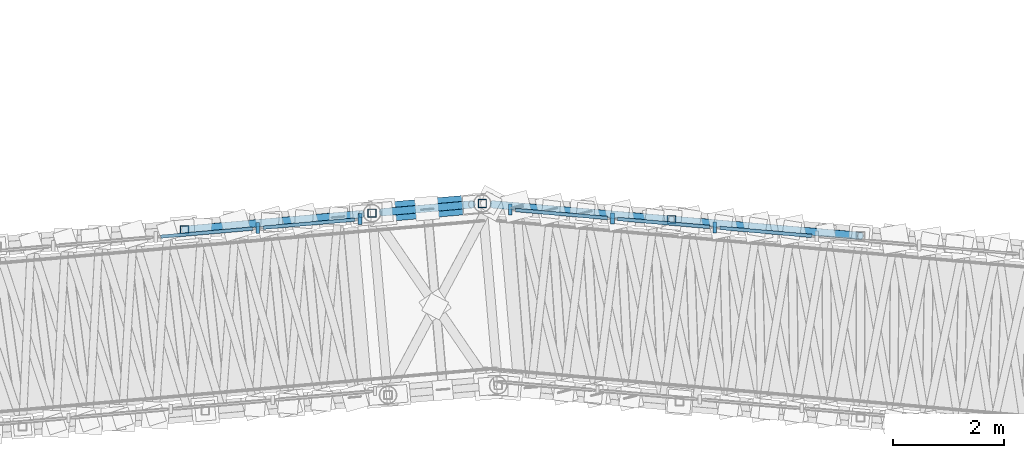
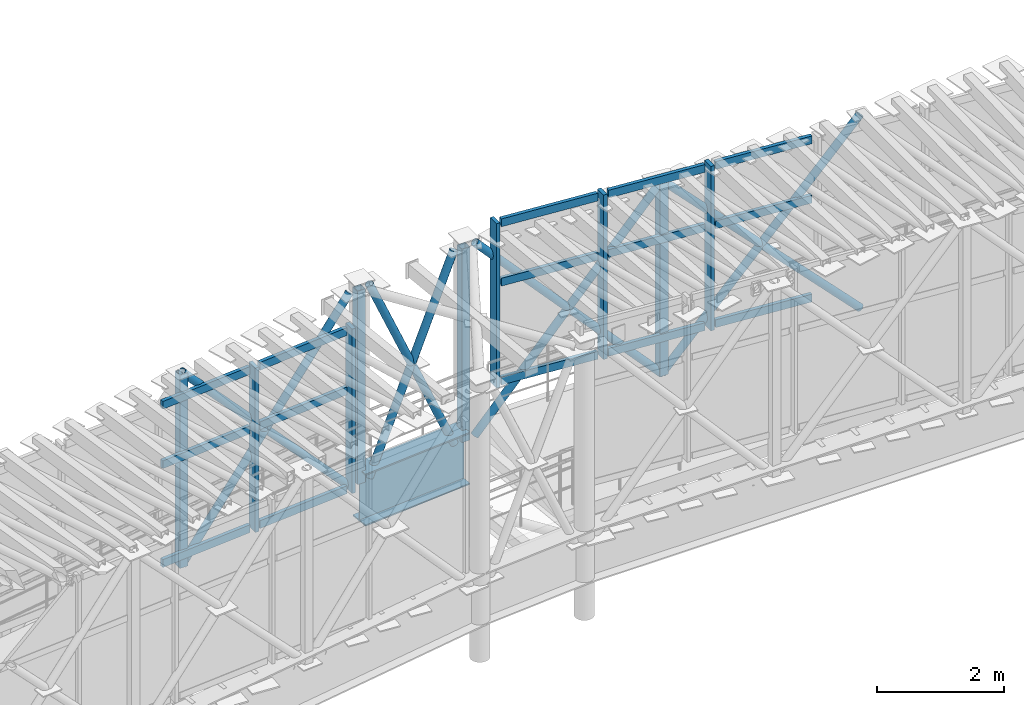
# One storey, part 68 of 144: 36 members, 1 beam, 2 elements without a shape of their own.
"""IFC4 building model written with IfcOpenShell, lengths in metres."""

from ifc_helpers import new_model, si_unit, direction, frame, origin, origin_2d, place, context, subcontext, project, spatial, rectangle, hollow_rectangle, hollow_circle, i_section, extrude, material, material_profile, profile_set, type_object, element, aggregate, save


model = new_model("IFC4")

# Units and contexts
model_context = context("Model", 3, precision=1e-05, world=origin(), true_north=direction((0.0, 1.0)))
body_context = subcontext(model_context, "Body", "Model", "MODEL_VIEW")
ifc_project = project(units=[si_unit("LENGTHUNIT", "METRE"), si_unit("AREAUNIT", "SQUARE_METRE"), si_unit("VOLUMEUNIT", "CUBIC_METRE"), si_unit("PLANEANGLEUNIT", "RADIAN"), si_unit("MASSUNIT", "GRAM", prefix="KILO")], contexts=[model_context])

# Site, building, storey
site_placement = place(None, origin())
site = spatial("IfcSite", under=ifc_project, at=site_placement, CompositionType="ELEMENT")
building_placement = place(site_placement, origin())
building = spatial("IfcBuilding", under=site, at=building_placement, Name="Cinderbank Siding Concert Hall", CompositionType="ELEMENT")
storey_placement = place(building_placement, frame((0.0, 0.0, 5.39990234375)))
storey = spatial("IfcBuildingStorey", under=building, at=storey_placement, Name="L02", CompositionType="ELEMENT", Elevation=5.39990234375)

# Beam
ifc_material_1 = material(Name="Structural steel welded plate section AS/NZS 3679.2 / AS/NZS 3678 Grade 350 (340 MPa)", Category="steel")
ifc_material_profile_1 = material_profile(ifc_material_1, i_section(OverallWidth=0.35009765625, OverallDepth=1.0, WebThickness=0.013916015625, FlangeThickness=0.02490234375, at=origin_2d()), Name="1000WB258", Category="LoadBearing")
ifc_profile_set_1 = profile_set([ifc_material_profile_1], Name="Structural steel welded plate section AS/NZS 3679.2 / AS/NZS 3678 Grade 350 (340 MPa)")
beam_type = type_object("IfcBeamType", Name="BM-WB1000 1000WB258", PredefinedType="BEAM", material=ifc_profile_set_1)
beam_placement = place(storey_placement, frame((77.200927734375, 102.260986328125, 1.2001953125), z_axis=(0.996165587561, 0.087487840064, 0.0), x_axis=(-0.087487840064, 0.996165587561, 0.0)))
element("IfcBeam", 1, at=beam_placement, inside=storey, type_object=beam_type, Name="L02 Beam BM-WB1000 #1953", PredefinedType="BEAM", context=body_context, shape_type="SweptSolid", body=[
    extrude(i_section(OverallWidth=0.35009765625, OverallDepth=1.0, WebThickness=0.013916015625, FlangeThickness=0.02490234375, at=origin_2d()), origin(), (0.0, 0.0, 1.0), 2.000732421875),
])

# Members
ifc_material_2 = material(Name="Structural steel hollow section AS/NZS 1163 Grade C350L0 (350 MPa)", Category="steel")
ifc_material_profile_2 = material_profile(ifc_material_2, hollow_circle(Radius=0.06982421875, WallThickness=0.00634765625, at=origin_2d()), Name="139.7x6.4CHS", Category="LoadBearing")
ifc_profile_set_2 = profile_set([ifc_material_profile_2], Name="Structural steel hollow section AS/NZS 1163 Grade C350L0 (350 MPa)")
member_type_1 = type_object("IfcMemberType", Name="BR-CHS139 139.7x6.4CHS Roof Truss", PredefinedType="BRACE", material=ifc_profile_set_2)
member_1_placement = place(storey_placement, frame((73.811279296875, 101.962158203125, 1.22998046875), z_axis=(0.630796664532, 0.055625977893, 0.773951754697), x_axis=(-0.087842803252, 0.996134349331, 0.0)))
element("IfcMember", 2, at=member_1_placement, inside=storey, type_object=member_type_1, Name="L02 Diagonal Brace BR-CHS139 #BRDL-BR-CHS139-L02-0149", PredefinedType="BRACE", context=body_context, shape_type="SweptSolid", body=[
    extrude(hollow_circle(Radius=0.06982421875, WallThickness=0.00634765625, at=origin_2d()), origin(), (0.0, 0.0, 1.0), 5.07373046875),
])
member_2_placement = place(storey_placement, frame((73.811279296875, 101.962158203125, 4.93017578125), z_axis=(0.67638778785, 0.059611022605, -0.734129475251), x_axis=(-0.087791145482, 0.996138903354, 0.0)))
element("IfcMember", 3, at=member_2_placement, inside=storey, type_object=member_type_1, Name="L02 Diagonal Brace BR-CHS139 #BRDL-BR-CHS139-L02-0150", PredefinedType="BRACE", context=body_context, shape_type="SweptSolid", body=[
    extrude(hollow_circle(Radius=0.06982421875, WallThickness=0.00634765625, at=origin_2d()), origin(), (0.0, 0.0, 1.0), 2.350830078125),
])
member_3_placement = place(storey_placement, frame((75.421630859375, 102.104248046875, 3.182373046875), z_axis=(0.676439358433, 0.059615567594, -0.734081588424), x_axis=(-0.087791145482, 0.996138903354, 0.0)))
element("IfcMember", 4, at=member_3_placement, inside=storey, type_object=member_type_1, Name="L02 Diagonal Brace BR-CHS139 #BRDL-BR-CHS139-L02-0150-S16", PredefinedType="BRACE", context=body_context, shape_type="SweptSolid", body=[
    extrude(hollow_circle(Radius=0.06982421875, WallThickness=0.00634765625, at=origin_2d()), origin(), (0.0, 0.0, 1.0), 2.3505859375),
])
member_4_placement = place(storey_placement, frame((77.390380859375, 102.277587890625, 1.47021484375), z_axis=(0.399642385884, 0.035116791621, 0.915998239273), x_axis=(-0.087533255955, 0.996161597886, 0.0)))
element("IfcMember", 5, at=member_4_placement, inside=storey, type_object=member_type_1, Name="L02 Diagonal Brace BR-CHS139 #BRDL-BR-CHS139-L02-0229", PredefinedType="BRACE", context=body_context, shape_type="SweptSolid", body=[
    extrude(hollow_circle(Radius=0.06982421875, WallThickness=0.00634765625, at=origin_2d()), origin(), (0.0, 0.0, 1.0), 4.039306640625),
])
for number, where, z_axis, x_axis, name in (
    (6, (77.390380859375, 102.277587890625, 5.170166015625), (0.399562607452, 0.035072853077, -0.916034725162), (-0.087441893042, 0.996169621772, 0.0), "L02 Diagonal Brace BR-CHS139 #BRDL-BR-CHS139-L02-0230"),
    (7, (78.20361328125, 102.34912109375, 3.306396484375), (0.39960718531, 0.035076766038, -0.916015129751), (-0.087441893042, 0.996169621772, 0.0), "L02 Diagonal Brace BR-CHS139 #BRDL-BR-CHS139-L02-0230-S21"),
):
    element("IfcMember", number, at=place(storey_placement, frame(where, z_axis=z_axis, x_axis=x_axis)), inside=storey, type_object=member_type_1, Name=name, PredefinedType="BRACE", context=body_context, shape_type="SweptSolid", body=[
        extrude(hollow_circle(Radius=0.06982421875, WallThickness=0.00634765625, at=origin_2d()), origin(), (0.0, 0.0, 1.0), 2.004638671875),
    ])
member_5_placement = place(storey_placement, frame((79.38330078125, 102.419921875, 1.4833984375), z_axis=(0.634291149246, -0.054371922537, 0.771179896022), x_axis=(0.085407549859, 0.99634609972, 0.0)))
element("IfcMember", 8, at=member_5_placement, inside=storey, type_object=member_type_1, Name="L02 Diagonal Brace BR-CHS139 #BRDL-BR-CHS139-L02-0240", PredefinedType="BRACE", context=body_context, shape_type="SweptSolid", body=[
    extrude(hollow_circle(Radius=0.06982421875, WallThickness=0.00634765625, at=origin_2d()), origin(), (0.0, 0.0, 1.0), 5.091796875),
])
for number, where, z_axis, x_axis, name in (
    (9, (79.38330078125, 102.419921875, 5.183349609375), (0.679839649024, -0.058334027392, -0.731037066682), (0.085491426003, 0.996338906236, 0.0), "L02 Diagonal Brace BR-CHS139 #BRDL-BR-CHS139-L02-0241"),
    (10, (81.00830078125, 102.280517578125, 3.435791015625), (0.679843747195, -0.058230949288, -0.731041473478), (0.085340950407, 0.996351806434, 0.0), "L02 Diagonal Brace BR-CHS139 #BRDL-BR-CHS139-L02-0241-S25"),
):
    element("IfcMember", number, at=place(storey_placement, frame(where, z_axis=z_axis, x_axis=x_axis)), inside=storey, type_object=member_type_1, Name=name, PredefinedType="BRACE", context=body_context, shape_type="SweptSolid", body=[
        extrude(hollow_circle(Radius=0.06982421875, WallThickness=0.00634765625, at=origin_2d()), origin(), (0.0, 0.0, 1.0), 2.3603515625),
    ])
member_6_placement = place(storey_placement, frame((82.613037109375, 102.14306640625, 1.710205078125), z_axis=(0.654373190806, -0.056073109752, 0.754089870982), x_axis=(0.085376925824, 0.996348724362, 0.0)))
element("IfcMember", 11, at=member_6_placement, inside=storey, type_object=member_type_1, Name="L02 Diagonal Brace BR-CHS139 #BRDL-BR-CHS139-L02-0243", PredefinedType="BRACE", context=body_context, shape_type="SweptSolid", body=[
    extrude(hollow_circle(Radius=0.06982421875, WallThickness=0.00634765625, at=origin_2d()), origin(), (0.0, 0.0, 1.0), 5.224853515625),
])
for number, where, z_axis, x_axis, name in (
    (12, (82.613037109375, 102.14306640625, 5.41015625), (0.701628131288, -0.060191406004, -0.709996450716), (0.085474235884, 0.996340381095, 0.0), "L02 Diagonal Brace BR-CHS139 #BRDL-BR-CHS139-L02-0244"),
    (13, (84.3330078125, 101.99560546875, 3.66943359375), (0.701632385721, -0.060090947247, -0.710000755891), (0.085332106351, 0.996352563918, 0.0), "L02 Diagonal Brace BR-CHS139 #BRDL-BR-CHS139-L02-0244-S26"),
):
    element("IfcMember", number, at=place(storey_placement, frame(where, z_axis=z_axis, x_axis=x_axis)), inside=storey, type_object=member_type_1, Name=name, PredefinedType="BRACE", context=body_context, shape_type="SweptSolid", body=[
        extrude(hollow_circle(Radius=0.06982421875, WallThickness=0.00634765625, at=origin_2d()), origin(), (0.0, 0.0, 1.0), 2.42138671875),
    ])
ifc_material_profile_3 = material_profile(ifc_material_2, hollow_rectangle(XDim=0.14990234375, YDim=0.14990234375, WallThickness=0.008056640625, at=origin_2d()), Name="150x150x8.0SHS", Category="LoadBearing")
ifc_profile_set_3 = profile_set([ifc_material_profile_3], Name="Structural steel hollow section AS/NZS 1163 Grade C350L0 (350 MPa)")
member_type_2 = type_object("IfcMemberType", Name="BR-SHS150 150x150x8.0SHS Roof Truss", PredefinedType="BRACE", material=ifc_profile_set_3)
member_7_placement = place(storey_placement, frame((73.811279296875, 101.962158203125, 1.22998046875), z_axis=(0.0, 0.0, 1.0), x_axis=(1.0, 0.0, 0.0)))
element("IfcMember", 14, at=member_7_placement, inside=storey, type_object=member_type_2, Name="L02 Diagonal Brace BR-SHS150 #BRVL-BR-SHS150-L02-0148", PredefinedType="BRACE", context=body_context, shape_type="SweptSolid", body=[
    extrude(hollow_rectangle(XDim=0.14990234375, YDim=0.14990234375, WallThickness=0.008056640625, at=origin_2d()), origin(), (0.0, 0.0, 1.0), 3.7001953125),
])
for number, where, z_axis, x_axis, name in (
    (15, (77.200927734375, 102.260986328125, 1.47021484375), (0.0, 0.0, 1.0), (1.0, 0.0, 0.0), "L02 Diagonal Brace BR-SHS150 #BRVL-BR-SHS150-L02-0228"),
    (16, (79.194091796875, 102.43603515625, 1.47021484375), (0.0, 0.0, 1.0), (1.0, 0.0, 0.0), "L02 Diagonal Brace BR-SHS150 #BRVL-BR-SHS150-L02-0239"),
    (17, (82.613037109375, 102.14306640625, 1.710205078125), (0.0, 0.0, 1.0), (1.0, 0.0, 0.0), "L02 Diagonal Brace BR-SHS150 #BRVL-BR-SHS150-L02-0242"),
):
    element("IfcMember", number, at=place(storey_placement, frame(where, z_axis=z_axis, x_axis=x_axis)), inside=storey, type_object=member_type_2, Name=name, PredefinedType="BRACE", context=body_context, shape_type="SweptSolid", body=[
        extrude(hollow_rectangle(XDim=0.14990234375, YDim=0.14990234375, WallThickness=0.008056640625, at=origin_2d()), origin(), (0.0, 0.0, 1.0), 3.699951171875),
    ])

# Curtain wall, members
ifc_material_3 = material(Name="Anodised aluminium alloy 6063-T6", Category="aluminium")
curtain_wall_type = type_object("IfcCurtainWallType", Name="CW-15 Unitised Acoustic Curtain Wall 12800x3200", PredefinedType="NOTDEFINED", material=ifc_material_3)
curtain_wall_1_placement = place(storey_placement, origin())
curtain_wall_1 = element("IfcCurtainWall", 18, at=curtain_wall_1_placement, inside=storey, type_object=curtain_wall_type, Name="L02 Curtain Wall CW-15 #155", PredefinedType="NOTDEFINED")
ifc_material_profile_4 = material_profile(ifc_material_3, rectangle(XDim=0.06494140625, YDim=0.199951171875, at=origin_2d()), Name="ALU-MULL-65x200", Category="LoadBearing")
ifc_profile_set_4 = profile_set([ifc_material_profile_4], Name="Anodised aluminium alloy 6063-T6")
member_type_3 = type_object("IfcMemberType", Name="CW-ML2 Mullion 65x200", PredefinedType="MULLION", material=ifc_profile_set_4)
member_8_placement = place(storey_placement, frame((75.135009765625, 101.989990234375, 1.440185546875), z_axis=(0.0, 0.0, 1.0), x_axis=(1.0, 0.0, 0.0)))
member_8 = element("IfcMember", 19, at=member_8_placement, type_object=member_type_3, Name="CW-L02-155 Mullion 6", PredefinedType="MULLION", context=body_context, shape_type="SweptSolid", body=[
    extrude(rectangle(XDim=0.06494140625, YDim=0.199951171875, at=origin_2d()), origin(), (0.0, 0.0, 1.0), 3.14990234375),
])
member_9_placement = place(storey_placement, frame((76.983154296875, 102.15185546875, 1.440185546875), z_axis=(0.0, 0.0, 1.0), x_axis=(1.0, 0.0, 0.0)))
member_9 = element("IfcMember", 20, at=member_9_placement, type_object=member_type_3, Name="CW-L02-155 Mullion 7", PredefinedType="MULLION", context=body_context, shape_type="SweptSolid", body=[
    extrude(rectangle(XDim=0.06494140625, YDim=0.199951171875, at=origin_2d()), origin(), (0.0, 0.0, 1.0), 3.14990234375),
])

curtain_wall_2_placement = place(storey_placement, origin())
curtain_wall_2 = element("IfcCurtainWall", 21, at=curtain_wall_2_placement, inside=storey, type_object=curtain_wall_type, Name="L02 Curtain Wall CW-15 #157", PredefinedType="NOTDEFINED")
member_10_placement = place(storey_placement, frame((79.69970703125, 102.326171875, 2.400146484375), z_axis=(0.0, 0.0, 1.0), x_axis=(1.0, 0.0, 0.0)))
member_10 = element("IfcMember", 22, at=member_10_placement, type_object=member_type_3, Name="CW-L02-157 Mullion 0", PredefinedType="MULLION", context=body_context, shape_type="SweptSolid", body=[
    extrude(rectangle(XDim=0.06494140625, YDim=0.199951171875, at=origin_2d()), origin(), (0.0, 0.0, 1.0), 3.14990234375),
])
member_11_placement = place(storey_placement, frame((81.5478515625, 102.164306640625, 2.400146484375), z_axis=(0.0, 0.0, 1.0), x_axis=(1.0, 0.0, 0.0)))
member_11 = element("IfcMember", 23, at=member_11_placement, type_object=member_type_3, Name="CW-L02-157 Mullion 1", PredefinedType="MULLION", context=body_context, shape_type="SweptSolid", body=[
    extrude(rectangle(XDim=0.06494140625, YDim=0.199951171875, at=origin_2d()), origin(), (0.0, 0.0, 1.0), 3.14990234375),
])
member_12_placement = place(storey_placement, frame((83.39599609375, 102.002685546875, 2.400146484375), z_axis=(0.0, 0.0, 1.0), x_axis=(1.0, 0.0, 0.0)))
member_12 = element("IfcMember", 24, at=member_12_placement, type_object=member_type_3, Name="CW-L02-157 Mullion 2", PredefinedType="MULLION", context=body_context, shape_type="SweptSolid", body=[
    extrude(rectangle(XDim=0.06494140625, YDim=0.199951171875, at=origin_2d()), origin(), (0.0, 0.0, 1.0), 3.14990234375),
])

# Member
ifc_material_profile_5 = material_profile(ifc_material_3, rectangle(XDim=0.06494140625, YDim=0.14990234375, at=origin_2d()), Name="ALU-TRAN-65x150", Category="LoadBearing")
ifc_profile_set_5 = profile_set([ifc_material_profile_5], Name="Anodised aluminium alloy 6063-T6")
member_type_4 = type_object("IfcMemberType", Name="CW-TR2 Transom 65x150", PredefinedType="USERDEFINED", material=ifc_profile_set_5)
member_13_placement = place(storey_placement, frame((73.37939453125, 101.83642578125, 1.5), z_axis=(0.996195463137, 0.087146997803, 0.0), x_axis=(-0.087146997803, 0.996195463137, 0.0)))
member_13 = element("IfcMember", 25, at=member_13_placement, type_object=member_type_4, Name="CW-L02-155 Transom 5-0", ObjectType="TRANSOM", PredefinedType="USERDEFINED", context=body_context, shape_type="SweptSolid", body=[
    extrude(rectangle(XDim=0.06494140625, YDim=0.14990234375, at=origin_2d()), origin(), (0.0, 0.0, 1.0), 1.669677734375),
])

member_14_placement = place(storey_placement, frame((73.37939453125, 101.83642578125, 3.39306640625), z_axis=(0.996195463137, 0.087146997803, 0.0), x_axis=(-0.087146997803, 0.996195463137, 0.0)))
member_14 = element("IfcMember", 26, at=member_14_placement, type_object=member_type_4, Name="CW-L02-155 Transom 5-1", ObjectType="TRANSOM", PredefinedType="USERDEFINED", context=body_context, shape_type="SweptSolid", body=[
    extrude(rectangle(XDim=0.06494140625, YDim=0.14990234375, at=origin_2d()), origin(), (0.0, 0.0, 1.0), 1.669677734375),
])

member_15_placement = place(storey_placement, frame((73.37939453125, 101.83642578125, 4.530029296875), z_axis=(0.996195463137, 0.087146997803, 0.0), x_axis=(-0.087146997803, 0.996195463137, 0.0)))
member_15 = element("IfcMember", 27, at=member_15_placement, type_object=member_type_4, Name="CW-L02-155 Transom 5-2", ObjectType="TRANSOM", PredefinedType="USERDEFINED", context=body_context, shape_type="SweptSolid", body=[
    extrude(rectangle(XDim=0.06494140625, YDim=0.14990234375, at=origin_2d()), origin(), (0.0, 0.0, 1.0), 1.669677734375),
])

member_16_placement = place(storey_placement, frame((75.2275390625, 101.998291015625, 1.5), z_axis=(0.996195463137, 0.087146997803, 0.0), x_axis=(-0.087146997803, 0.996195463137, 0.0)))
member_16 = element("IfcMember", 28, at=member_16_placement, type_object=member_type_4, Name="CW-L02-155 Transom 6-0", ObjectType="TRANSOM", PredefinedType="USERDEFINED", context=body_context, shape_type="SweptSolid", body=[
    extrude(rectangle(XDim=0.06494140625, YDim=0.14990234375, at=origin_2d()), origin(), (0.0, 0.0, 1.0), 1.669677734375),
])

member_17_placement = place(storey_placement, frame((75.2275390625, 101.998291015625, 3.39306640625), z_axis=(0.996195463137, 0.087146997803, 0.0), x_axis=(-0.087146997803, 0.996195463137, 0.0)))
member_17 = element("IfcMember", 29, at=member_17_placement, type_object=member_type_4, Name="CW-L02-155 Transom 6-1", ObjectType="TRANSOM", PredefinedType="USERDEFINED", context=body_context, shape_type="SweptSolid", body=[
    extrude(rectangle(XDim=0.06494140625, YDim=0.14990234375, at=origin_2d()), origin(), (0.0, 0.0, 1.0), 1.669677734375),
])

member_18_placement = place(storey_placement, frame((75.2275390625, 101.998291015625, 4.530029296875), z_axis=(0.996195463137, 0.087146997803, 0.0), x_axis=(-0.087146997803, 0.996195463137, 0.0)))
member_18 = element("IfcMember", 30, at=member_18_placement, type_object=member_type_4, Name="CW-L02-155 Transom 6-2", ObjectType="TRANSOM", PredefinedType="USERDEFINED", context=body_context, shape_type="SweptSolid", body=[
    extrude(rectangle(XDim=0.06494140625, YDim=0.14990234375, at=origin_2d()), origin(), (0.0, 0.0, 1.0), 1.669677734375),
])

aggregate(curtain_wall_1, [member_8, member_9, member_13, member_14, member_15, member_16, member_17, member_18])

member_19_placement = place(storey_placement, frame((79.792236328125, 102.318115234375, 2.460205078125), z_axis=(0.996195463137, -0.087146997803, 0.0), x_axis=(0.087146997803, 0.996195463137, 0.0)))
member_19 = element("IfcMember", 31, at=member_19_placement, type_object=member_type_4, Name="CW-L02-157 Transom 0-0", ObjectType="TRANSOM", PredefinedType="USERDEFINED", context=body_context, shape_type="SweptSolid", body=[
    extrude(rectangle(XDim=0.06494140625, YDim=0.14990234375, at=origin_2d()), origin(), (0.0, 0.0, 1.0), 1.669677734375),
])

member_20_placement = place(storey_placement, frame((79.792236328125, 102.318115234375, 4.35302734375), z_axis=(0.996195463137, -0.087146997803, 0.0), x_axis=(0.087146997803, 0.996195463137, 0.0)))
member_20 = element("IfcMember", 32, at=member_20_placement, type_object=member_type_4, Name="CW-L02-157 Transom 0-1", ObjectType="TRANSOM", PredefinedType="USERDEFINED", context=body_context, shape_type="SweptSolid", body=[
    extrude(rectangle(XDim=0.06494140625, YDim=0.14990234375, at=origin_2d()), origin(), (0.0, 0.0, 1.0), 1.669677734375),
])

member_21_placement = place(storey_placement, frame((79.792236328125, 102.318115234375, 5.489990234375), z_axis=(0.996195463137, -0.087146997803, 0.0), x_axis=(0.087146997803, 0.996195463137, 0.0)))
member_21 = element("IfcMember", 33, at=member_21_placement, type_object=member_type_4, Name="CW-L02-157 Transom 0-2", ObjectType="TRANSOM", PredefinedType="USERDEFINED", context=body_context, shape_type="SweptSolid", body=[
    extrude(rectangle(XDim=0.06494140625, YDim=0.14990234375, at=origin_2d()), origin(), (0.0, 0.0, 1.0), 1.669677734375),
])

member_22_placement = place(storey_placement, frame((81.640380859375, 102.15625, 2.460205078125), z_axis=(0.996195463137, -0.087146997803, 0.0), x_axis=(0.087146997803, 0.996195463137, 0.0)))
member_22 = element("IfcMember", 34, at=member_22_placement, type_object=member_type_4, Name="CW-L02-157 Transom 1-0", ObjectType="TRANSOM", PredefinedType="USERDEFINED", context=body_context, shape_type="SweptSolid", body=[
    extrude(rectangle(XDim=0.06494140625, YDim=0.14990234375, at=origin_2d()), origin(), (0.0, 0.0, 1.0), 1.669677734375),
])

member_23_placement = place(storey_placement, frame((81.640380859375, 102.15625, 4.35302734375), z_axis=(0.996195463137, -0.087146997803, 0.0), x_axis=(0.087146997803, 0.996195463137, 0.0)))
member_23 = element("IfcMember", 35, at=member_23_placement, type_object=member_type_4, Name="CW-L02-157 Transom 1-1", ObjectType="TRANSOM", PredefinedType="USERDEFINED", context=body_context, shape_type="SweptSolid", body=[
    extrude(rectangle(XDim=0.06494140625, YDim=0.14990234375, at=origin_2d()), origin(), (0.0, 0.0, 1.0), 1.669677734375),
])

member_24_placement = place(storey_placement, frame((81.640380859375, 102.15625, 5.489990234375), z_axis=(0.996195463137, -0.087146997803, 0.0), x_axis=(0.087146997803, 0.996195463137, 0.0)))
member_24 = element("IfcMember", 36, at=member_24_placement, type_object=member_type_4, Name="CW-L02-157 Transom 1-2", ObjectType="TRANSOM", PredefinedType="USERDEFINED", context=body_context, shape_type="SweptSolid", body=[
    extrude(rectangle(XDim=0.06494140625, YDim=0.14990234375, at=origin_2d()), origin(), (0.0, 0.0, 1.0), 1.669677734375),
])

member_25_placement = place(storey_placement, frame((83.48828125, 101.99462890625, 2.460205078125), z_axis=(0.996195463137, -0.087146997803, 0.0), x_axis=(0.087146997803, 0.996195463137, 0.0)))
member_25 = element("IfcMember", 37, at=member_25_placement, type_object=member_type_4, Name="CW-L02-157 Transom 2-0", ObjectType="TRANSOM", PredefinedType="USERDEFINED", context=body_context, shape_type="SweptSolid", body=[
    extrude(rectangle(XDim=0.06494140625, YDim=0.14990234375, at=origin_2d()), origin(), (0.0, 0.0, 1.0), 1.669677734375),
])

member_26_placement = place(storey_placement, frame((83.48828125, 101.99462890625, 4.35302734375), z_axis=(0.996195463137, -0.087146997803, 0.0), x_axis=(0.087146997803, 0.996195463137, 0.0)))
member_26 = element("IfcMember", 38, at=member_26_placement, type_object=member_type_4, Name="CW-L02-157 Transom 2-1", ObjectType="TRANSOM", PredefinedType="USERDEFINED", context=body_context, shape_type="SweptSolid", body=[
    extrude(rectangle(XDim=0.06494140625, YDim=0.14990234375, at=origin_2d()), origin(), (0.0, 0.0, 1.0), 1.669677734375),
])

member_27_placement = place(storey_placement, frame((83.48828125, 101.99462890625, 5.489990234375), z_axis=(0.996195463137, -0.087146997803, 0.0), x_axis=(0.087146997803, 0.996195463137, 0.0)))
member_27 = element("IfcMember", 39, at=member_27_placement, type_object=member_type_4, Name="CW-L02-157 Transom 2-2", ObjectType="TRANSOM", PredefinedType="USERDEFINED", context=body_context, shape_type="SweptSolid", body=[
    extrude(rectangle(XDim=0.06494140625, YDim=0.14990234375, at=origin_2d()), origin(), (0.0, 0.0, 1.0), 1.669677734375),
])

aggregate(curtain_wall_2, [member_10, member_11, member_12, member_19, member_20, member_21, member_22, member_23, member_24, member_25, member_26, member_27])

save(model, "model.ifc")
